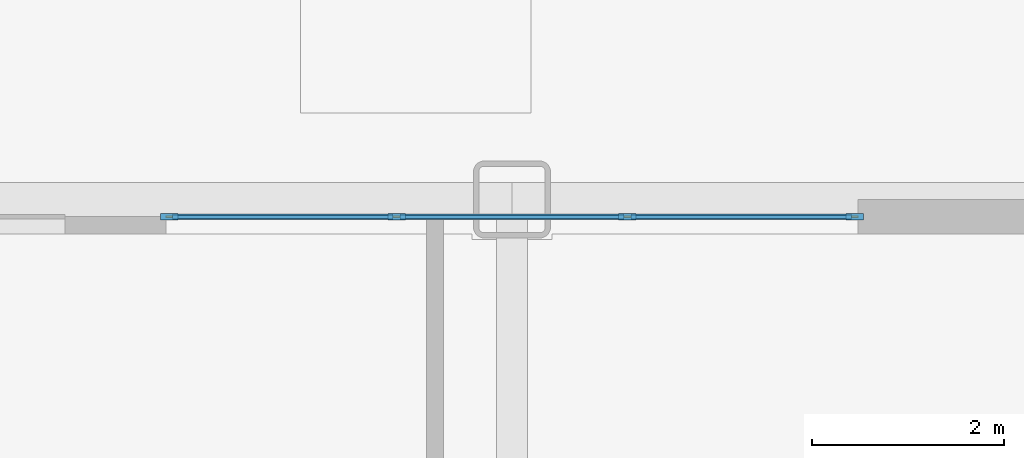
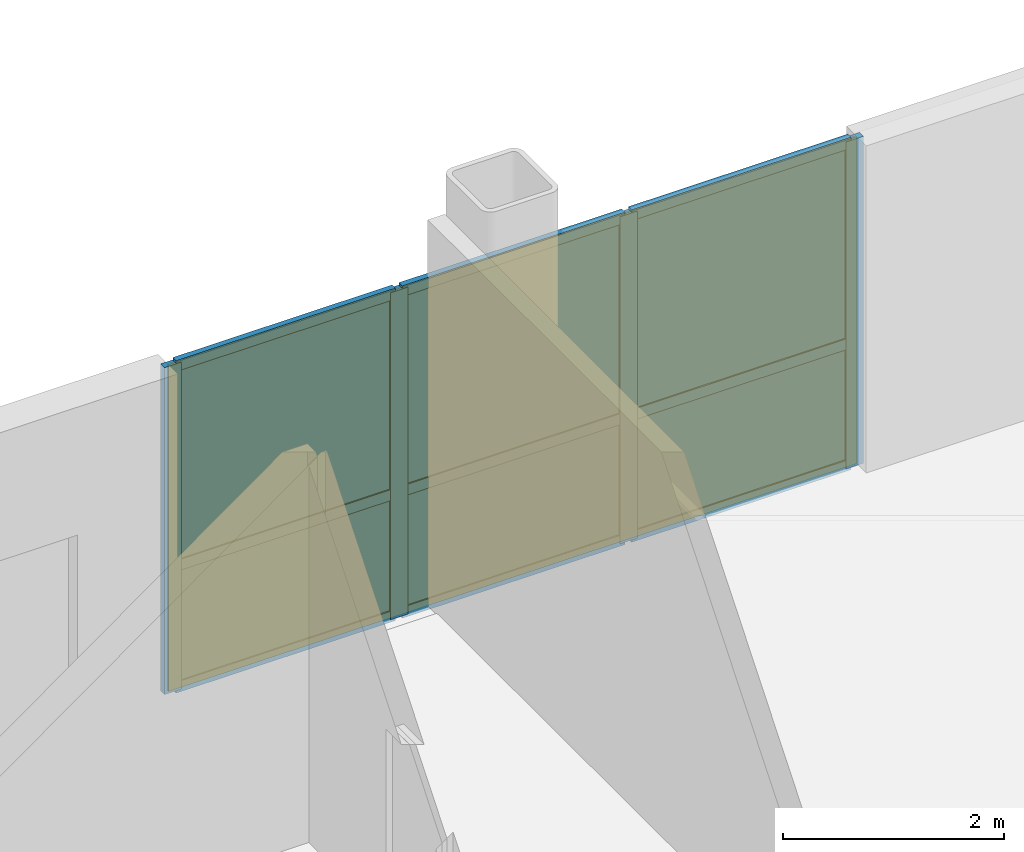
# One storey, part 15 of 20: 13 members, 6 plates, 1 curtain wall.
"""IFC4 building model written with IfcOpenShell, lengths in metres."""

from ifc_helpers import new_model, si_unit, direction, frame, frame_2d, origin, origin_2d, place, context, subcontext, project, spatial, rectangle, extrude, source, transform, mapped, material, layer, layer_set, material_profile, profile_set, type_object, type_shapes, element, aggregate, save


model = new_model("IFC4")

# Units and contexts
model_context = context("Model", 3, precision=1e-05, world=origin(), true_north=direction((0.0, 1.0)))
body_context = subcontext(model_context, "Body", "Model", "MODEL_VIEW")
ifc_project = project(units=[si_unit("LENGTHUNIT", "METRE"), si_unit("AREAUNIT", "SQUARE_METRE"), si_unit("VOLUMEUNIT", "CUBIC_METRE"), si_unit("PLANEANGLEUNIT", "RADIAN"), si_unit("MASSUNIT", "GRAM", prefix="KILO")], contexts=[model_context])

# Member
ifc_material_1 = material(Name="Anodised aluminium 6063-T6", Category="aluminium")
ifc_material_profile_1 = material_profile(ifc_material_1, rectangle(XDim=0.070068359375, YDim=0.179931640625, at=origin_2d()), Name="ALU-MULL-70x180")
ifc_profile_set_1 = profile_set([ifc_material_profile_1], Name="Anodised aluminium 6063-T6")
member_type_1 = type_object("IfcMemberType", Name="CWM-1", PredefinedType="MULLION", material=ifc_profile_set_1)
site_placement = place(None, origin())
building_placement = place(site_placement, origin())
storey_placement = place(building_placement, origin())
member_1_placement = place(storey_placement, frame((-22.56494140625, 25.820068359375, 0.0), z_axis=(0.0, 0.0, 1.0), x_axis=(0.0, 1.0, 0.0)))
member_1 = element("IfcMember", 1, at=member_1_placement, type_object=member_type_1, Name="CWS-1 mullion 1", PredefinedType="MULLION", context=body_context, shape_type="SweptSolid", body=[
    extrude(rectangle(XDim=0.070068359375, YDim=0.179931640625, at=origin_2d()), origin(), (0.0, 0.0, 1.0), 3.614990234375),
])

member_2_placement = place(storey_placement, frame((-20.199951171875, 25.820068359375, 0.0), z_axis=(0.0, 0.0, 1.0), x_axis=(0.0, 1.0, 0.0)))
member_2 = element("IfcMember", 2, at=member_2_placement, type_object=member_type_1, Name="CWS-1 mullion 2", PredefinedType="MULLION", context=body_context, shape_type="SweptSolid", body=[
    extrude(rectangle(XDim=0.070068359375, YDim=0.179931640625, at=origin_2d()), origin(), (0.0, 0.0, 1.0), 3.614990234375),
])

member_3_placement = place(storey_placement, frame((-17.800048828125, 25.820068359375, 0.0), z_axis=(0.0, 0.0, 1.0), x_axis=(0.0, 1.0, 0.0)))
member_3 = element("IfcMember", 3, at=member_3_placement, type_object=member_type_1, Name="CWS-1 mullion 3", PredefinedType="MULLION", context=body_context, shape_type="SweptSolid", body=[
    extrude(rectangle(XDim=0.070068359375, YDim=0.179931640625, at=origin_2d()), origin(), (0.0, 0.0, 1.0), 3.614990234375),
])

member_4_placement = place(storey_placement, frame((-15.43505859375, 25.820068359375, 0.0), z_axis=(0.0, 0.0, 1.0), x_axis=(0.0, 1.0, 0.0)))
member_4 = element("IfcMember", 4, at=member_4_placement, type_object=member_type_1, Name="CWS-1 mullion 4", PredefinedType="MULLION", context=body_context, shape_type="SweptSolid", body=[
    extrude(rectangle(XDim=0.070068359375, YDim=0.179931640625, at=origin_2d()), origin(), (0.0, 0.0, 1.0), 3.614990234375),
])

ifc_material_profile_2 = material_profile(ifc_material_1, rectangle(XDim=0.06005859375, YDim=0.1201171875, at=origin_2d()), Name="ALU-TRAN-60x120")
ifc_profile_set_2 = profile_set([ifc_material_profile_2], Name="Anodised aluminium 6063-T6")
member_type_2 = type_object("IfcMemberType", Name="CWT-1", PredefinedType="USERDEFINED", material=ifc_profile_set_2)
member_5_placement = place(storey_placement, frame((-22.530029296875, 25.820068359375, 0.030029296875), z_axis=(1.0, 0.0, 0.0), x_axis=(0.0, 1.0, 0.0)))
member_5 = element("IfcMember", 5, at=member_5_placement, type_object=member_type_2, Name="CWS-1 transom 1.1", ObjectType="TRANSOM", PredefinedType="USERDEFINED", context=body_context, shape_type="SweptSolid", body=[
    extrude(rectangle(XDim=0.06005859375, YDim=0.1201171875, at=origin_2d()), origin(), (0.0, 0.0, 1.0), 2.294921875),
])

member_6_placement = place(storey_placement, frame((-22.530029296875, 25.820068359375, 1.373779296875), z_axis=(1.0, 0.0, 0.0), x_axis=(0.0, 1.0, 0.0)))
member_6 = element("IfcMember", 6, at=member_6_placement, type_object=member_type_2, Name="CWS-1 transom 1.2", ObjectType="TRANSOM", PredefinedType="USERDEFINED", context=body_context, shape_type="SweptSolid", body=[
    extrude(rectangle(XDim=0.06005859375, YDim=0.1201171875, at=origin_2d()), origin(), (0.0, 0.0, 1.0), 2.294921875),
])

member_7_placement = place(storey_placement, frame((-22.530029296875, 25.820068359375, 3.5849609375), z_axis=(1.0, 0.0, 0.0), x_axis=(0.0, 1.0, 0.0)))
member_7 = element("IfcMember", 7, at=member_7_placement, type_object=member_type_2, Name="CWS-1 transom 1.3", ObjectType="TRANSOM", PredefinedType="USERDEFINED", context=body_context, shape_type="SweptSolid", body=[
    extrude(rectangle(XDim=0.06005859375, YDim=0.1201171875, at=origin_2d()), origin(), (0.0, 0.0, 1.0), 2.294921875),
])

member_8_placement = place(storey_placement, frame((-20.1650390625, 25.820068359375, 0.030029296875), z_axis=(1.0, 0.0, 0.0), x_axis=(0.0, 1.0, 0.0)))
member_8 = element("IfcMember", 8, at=member_8_placement, type_object=member_type_2, Name="CWS-1 transom 2.1", ObjectType="TRANSOM", PredefinedType="USERDEFINED", context=body_context, shape_type="SweptSolid", body=[
    extrude(rectangle(XDim=0.06005859375, YDim=0.1201171875, at=origin_2d()), origin(), (0.0, 0.0, 1.0), 2.330078125),
])

member_9_placement = place(storey_placement, frame((-20.1650390625, 25.820068359375, 1.373779296875), z_axis=(1.0, 0.0, 0.0), x_axis=(0.0, 1.0, 0.0)))
member_9 = element("IfcMember", 9, at=member_9_placement, type_object=member_type_2, Name="CWS-1 transom 2.2", ObjectType="TRANSOM", PredefinedType="USERDEFINED", context=body_context, shape_type="SweptSolid", body=[
    extrude(rectangle(XDim=0.06005859375, YDim=0.1201171875, at=origin_2d()), origin(), (0.0, 0.0, 1.0), 2.330078125),
])

member_10_placement = place(storey_placement, frame((-20.1650390625, 25.820068359375, 3.5849609375), z_axis=(1.0, 0.0, 0.0), x_axis=(0.0, 1.0, 0.0)))
member_10 = element("IfcMember", 10, at=member_10_placement, type_object=member_type_2, Name="CWS-1 transom 2.3", ObjectType="TRANSOM", PredefinedType="USERDEFINED", context=body_context, shape_type="SweptSolid", body=[
    extrude(rectangle(XDim=0.06005859375, YDim=0.1201171875, at=origin_2d()), origin(), (0.0, 0.0, 1.0), 2.330078125),
])

member_11_placement = place(storey_placement, frame((-17.764892578125, 25.820068359375, 0.030029296875), z_axis=(1.0, 0.0, 0.0), x_axis=(0.0, 1.0, 0.0)))
member_11 = element("IfcMember", 11, at=member_11_placement, type_object=member_type_2, Name="CWS-1 transom 3.1", ObjectType="TRANSOM", PredefinedType="USERDEFINED", context=body_context, shape_type="SweptSolid", body=[
    extrude(rectangle(XDim=0.06005859375, YDim=0.1201171875, at=origin_2d()), origin(), (0.0, 0.0, 1.0), 2.294921875),
])

member_12_placement = place(storey_placement, frame((-17.764892578125, 25.820068359375, 1.373779296875), z_axis=(1.0, 0.0, 0.0), x_axis=(0.0, 1.0, 0.0)))
member_12 = element("IfcMember", 12, at=member_12_placement, type_object=member_type_2, Name="CWS-1 transom 3.2", ObjectType="TRANSOM", PredefinedType="USERDEFINED", context=body_context, shape_type="SweptSolid", body=[
    extrude(rectangle(XDim=0.06005859375, YDim=0.1201171875, at=origin_2d()), origin(), (0.0, 0.0, 1.0), 2.294921875),
])

member_13_placement = place(storey_placement, frame((-17.764892578125, 25.820068359375, 3.5849609375), z_axis=(1.0, 0.0, 0.0), x_axis=(0.0, 1.0, 0.0)))
member_13 = element("IfcMember", 13, at=member_13_placement, type_object=member_type_2, Name="CWS-1 transom 3.3", ObjectType="TRANSOM", PredefinedType="USERDEFINED", context=body_context, shape_type="SweptSolid", body=[
    extrude(rectangle(XDim=0.06005859375, YDim=0.1201171875, at=origin_2d()), origin(), (0.0, 0.0, 1.0), 2.294921875),
])

# Plate
ifc_material_2 = material(Name="Insulated solar-control glass", Category="glass")
ifc_layer_1 = layer(ifc_material_2, 0.031982421875, Name="CWP-1")
ifc_layer_set_1 = layer_set([ifc_layer_1], Name="Insulated solar-control glass")
plate_type = type_object("IfcPlateType", Name="CWP-1", PredefinedType="CURTAIN_PANEL", material=ifc_layer_set_1)
shared_shape_1 = source(origin(), body_context, "Body", "SweptSolid", [
    extrude(rectangle(XDim=2.294921875, YDim=0.031982421875, at=origin_2d()), origin(), (0.0, 0.0, 1.0), 1.28369140625),
])
plate_1_placement = place(storey_placement, frame((-21.382568359375, 25.820068359375, 0.06005859375), z_axis=(0.0, 0.0, 1.0), x_axis=(1.0, 0.0, 0.0)))
plate_1 = element("IfcPlate", 14, at=plate_1_placement, type_object=plate_type, Name="CWS-1 panel 1.1", PredefinedType="CURTAIN_PANEL", context=body_context, shape_type="MappedRepresentation", body=[
    mapped(shared_shape_1, transform((0.0, 0.0, 0.0), scale=1.0)),
])

plate_2_placement = place(storey_placement, frame((-16.617431640625, 25.820068359375, 0.06005859375), z_axis=(0.0, 0.0, 1.0), x_axis=(1.0, 0.0, 0.0)))
plate_2 = element("IfcPlate", 15, at=plate_2_placement, type_object=plate_type, Name="CWS-1 panel 3.1", PredefinedType="CURTAIN_PANEL", context=body_context, shape_type="MappedRepresentation", body=[
    mapped(shared_shape_1, transform((0.0, 0.0, 0.0), scale=1.0)),
])

shared_shape_2 = source(origin(), body_context, "Body", "SweptSolid", [
    extrude(rectangle(XDim=2.294921875, YDim=0.031982421875, at=origin_2d()), origin(), (0.0, 0.0, 1.0), 2.1513671875),
])
plate_3_placement = place(storey_placement, frame((-21.382568359375, 25.820068359375, 1.403564453125), z_axis=(0.0, 0.0, 1.0), x_axis=(1.0, 0.0, 0.0)))
plate_3 = element("IfcPlate", 16, at=plate_3_placement, type_object=plate_type, Name="CWS-1 panel 1.2", PredefinedType="CURTAIN_PANEL", context=body_context, shape_type="MappedRepresentation", body=[
    mapped(shared_shape_2, transform((0.0, 0.0, 0.0), scale=1.0)),
])

plate_4_placement = place(storey_placement, frame((-16.617431640625, 25.820068359375, 1.403564453125), z_axis=(0.0, 0.0, 1.0), x_axis=(1.0, 0.0, 0.0)))
plate_4 = element("IfcPlate", 17, at=plate_4_placement, type_object=plate_type, Name="CWS-1 panel 3.2", PredefinedType="CURTAIN_PANEL", context=body_context, shape_type="MappedRepresentation", body=[
    mapped(shared_shape_2, transform((0.0, 0.0, 0.0), scale=1.0)),
])

shared_shape_3 = source(origin(), body_context, "Body", "SweptSolid", [
    extrude(rectangle(XDim=2.330078125, YDim=0.031982421875, at=origin_2d()), origin(), (0.0, 0.0, 1.0), 1.28369140625),
])
plate_5_placement = place(storey_placement, frame((-19.0, 25.820068359375, 0.06005859375), z_axis=(0.0, 0.0, 1.0), x_axis=(1.0, 0.0, 0.0)))
plate_5 = element("IfcPlate", 18, at=plate_5_placement, type_object=plate_type, Name="CWS-1 panel 2.1", PredefinedType="CURTAIN_PANEL", context=body_context, shape_type="MappedRepresentation", body=[
    mapped(shared_shape_3, transform((0.0, 0.0, 0.0), scale=1.0)),
])

shared_shape_4 = source(origin(), body_context, "Body", "SweptSolid", [
    extrude(rectangle(XDim=2.330078125, YDim=0.031982421875, at=origin_2d()), origin(), (0.0, 0.0, 1.0), 2.1513671875),
])
type_shapes(plate_type, [shared_shape_1, shared_shape_2, shared_shape_3, shared_shape_4])
plate_6_placement = place(storey_placement, frame((-19.0, 25.820068359375, 1.403564453125), z_axis=(0.0, 0.0, 1.0), x_axis=(1.0, 0.0, 0.0)))
plate_6 = element("IfcPlate", 19, at=plate_6_placement, type_object=plate_type, Name="CWS-1 panel 2.2", PredefinedType="CURTAIN_PANEL", context=body_context, shape_type="MappedRepresentation", body=[
    mapped(shared_shape_4, transform((0.0, 0.0, 0.0), scale=1.0)),
])

# Site, building, storey
site = spatial("IfcSite", under=ifc_project, at=site_placement, CompositionType="ELEMENT")
building = spatial("IfcBuilding", under=site, at=building_placement, Name="Nuvemarco Arch Tower", CompositionType="ELEMENT")
storey = spatial("IfcBuildingStorey", under=building, at=storey_placement, Name="L00", CompositionType="ELEMENT", Elevation=0.0)

# Curtain wall
ifc_layer_2 = layer(ifc_material_2, 0.179931640625, Name="CW-SYS-1")
ifc_layer_set_2 = layer_set([ifc_layer_2], Name="Insulated solar-control glass")
curtain_wall_type = type_object("IfcCurtainWallType", Name="CW-SYS-1", PredefinedType="NOTDEFINED", material=ifc_layer_set_2)
curtain_wall_placement = place(storey_placement, frame((-22.60009765625, 25.820068359375, 0.0), z_axis=(0.0, 0.0, 1.0), x_axis=(1.0, 0.0, 0.0)))
curtain_wall = element("IfcCurtainWall", 20, at=curtain_wall_placement, inside=storey, type_object=curtain_wall_type, Name="L00 curtain wall CWS-1", PredefinedType="NOTDEFINED", context=body_context, shape_type="SweptSolid", body=[
    extrude(rectangle(XDim=7.2001953125, YDim=0.02001953125, at=frame_2d((3.60009765625, 0.0))), origin(), (0.0, 0.0, 1.0), 3.614990234375),
])

aggregate(curtain_wall, [member_1, member_2, member_3, member_4, member_5, member_6, member_7, plate_1, plate_3, member_8, member_9, member_10, plate_5, plate_6, member_11, member_12, member_13, plate_2, plate_4])

save(model, "model.ifc")
